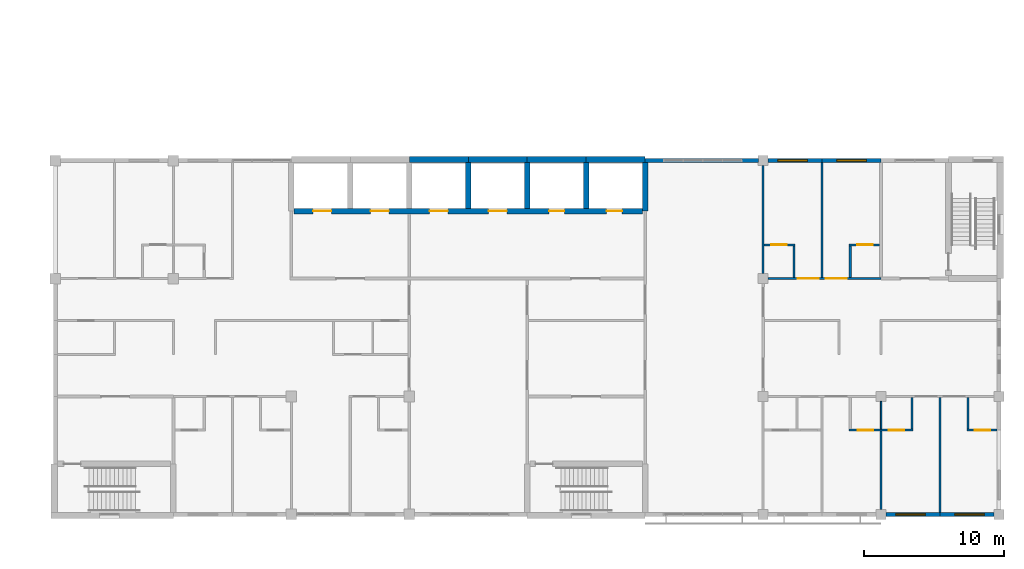
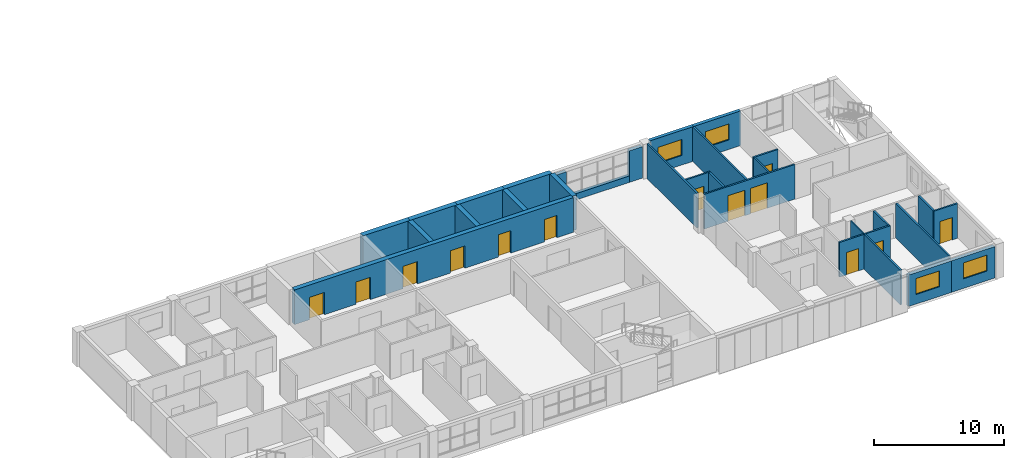
# One storey, part 37 of 46: 30 walls, 13 doors, 4 windows, 17 openings.
"""IFC4 building model written with IfcOpenShell, lengths in metres."""

from ifc_helpers import new_model, si_unit, direction, frame, frame_2d, origin, place, context, subcontext, project, spatial, rectangle, extrude, material, layer, layer_set, type_object, element, fill, save


model = new_model("IFC4")

# Units and contexts
model_context = context("Model", 3, precision=1e-05, world=origin(), true_north=direction((0.0, 1.0)))
body_context = subcontext(model_context, "Body", "Model", "MODEL_VIEW")
ifc_project = project(units=[si_unit("LENGTHUNIT", "METRE"), si_unit("AREAUNIT", "SQUARE_METRE"), si_unit("VOLUMEUNIT", "CUBIC_METRE"), si_unit("PLANEANGLEUNIT", "RADIAN"), si_unit("MASSUNIT", "GRAM", prefix="KILO")], contexts=[model_context])

# Site, building, storey
site_placement = place(None, origin())
site = spatial("IfcSite", under=ifc_project, at=site_placement, CompositionType="ELEMENT")
building_placement = place(site_placement, origin())
building = spatial("IfcBuilding", under=site, at=building_placement, Name="Yavir Park General Hospital", CompositionType="ELEMENT")
storey_placement = place(building_placement, frame((0.0, 0.0, 18.89990234375)))
storey = spatial("IfcBuildingStorey", under=building, at=storey_placement, Name="L04", CompositionType="ELEMENT", Elevation=18.89990234375)

# Wall
ifc_material_1 = material(Name="Gypsum board partition on steel studs", Category="steel")
ifc_layer_1 = layer(ifc_material_1, 0.10009765625)
ifc_layer_set_1 = layer_set([ifc_layer_1], Name="Gypsum board partition on steel studs")
wall_type_1 = type_object("IfcWallType", Name="Gypsum board partition 100", PredefinedType="PARTITIONING", material=ifc_layer_set_1)
wall_1_placement = place(storey_placement, frame((159.60009765625, 6.074951171875, 0.0), z_axis=(0.0, 0.0, 1.0), x_axis=(0.0, 1.0, 0.0)))
element("IfcWall", 1, at=wall_1_placement, inside=storey, type_object=wall_type_1, Name="P10 L04-270", PredefinedType="PARTITIONING", context=body_context, shape_type="SweptSolid", body=[
    extrude(rectangle(XDim=1.97509765625, YDim=0.10009765625, at=frame_2d((0.987548828125, 0.0))), origin(), (0.0, 0.0, 1.0), 3.260009765625),
])

# Wall, openings, doors
ifc_material_2 = material(Name="Gypsum board partition on steel studs", Category="steel")
ifc_layer_2 = layer(ifc_material_2, 0.14990234375)
ifc_layer_set_2 = layer_set([ifc_layer_2], Name="Gypsum board partition on steel studs")
wall_type_2 = type_object("IfcWallType", Name="Gypsum board partition 150", PredefinedType="PARTITIONING", material=ifc_layer_set_2)
wall_2_placement = place(storey_placement, frame((157.324951171875, 6.0, 0.0), z_axis=(0.0, 0.0, 1.0), x_axis=(1.0, 0.0, 0.0)))
wall_2 = element("IfcWall", 2, at=wall_2_placement, inside=storey, type_object=wall_type_2, Name="P15 L04-012", PredefinedType="PARTITIONING", context=body_context, shape_type="SweptSolid", body=[
    extrude(rectangle(XDim=4.550048828125, YDim=0.14990234375, at=frame_2d((2.27490234375, 0.0))), origin(), (0.0, 0.0, 1.0), 3.260009765625),
])
opening_1_placement = place(wall_2_placement, frame((0.625, 0.0, 0.0)))
opening_1 = element("IfcOpeningElement", 3, at=opening_1_placement, cuts=wall_2, Name="Opening L04.D014", PredefinedType="OPENING", context=body_context, shape_type="SweptSolid", body=[
    extrude(rectangle(XDim=1.10009765625, YDim=2.10009765625, at=frame_2d((0.550048828125, 1.050048828125))), frame((0.0, 0.0849609375, 0.0), z_axis=(0.0, -1.0, 0.0), x_axis=(1.0, 0.0, 0.0)), (0.0, 0.0, 1.0), 0.169921875),
])
opening_2_placement = place(wall_2_placement, frame((2.824951171875, 0.0, 0.0)))
opening_2 = element("IfcOpeningElement", 4, at=opening_2_placement, cuts=wall_2, Name="Opening L04.D015", PredefinedType="OPENING", context=body_context, shape_type="SweptSolid", body=[
    extrude(rectangle(XDim=1.10009765625, YDim=2.10009765625, at=frame_2d((0.550048828125, 1.050048828125))), frame((0.0, 0.0849609375, 0.0), z_axis=(0.0, -1.0, 0.0), x_axis=(1.0, 0.0, 0.0)), (0.0, 0.0, 1.0), 0.169921875),
])
ifc_material_3 = material(Name="Hollow metal frame, solid-core timber leaf", Category="wood")
door_type_1 = type_object("IfcDoorType", Name="Single swing door 1100 x 2100", OperationType="SINGLE_SWING_LEFT", PredefinedType="DOOR", material=ifc_material_3)
door_1_placement = place(opening_1_placement, origin())
door_1 = element("IfcDoor", 5, at=door_1_placement, inside=storey, type_object=door_type_1, Name="L04.D014", OperationType="SINGLE_SWING_RIGHT", OverallHeight=2.10009765625, OverallWidth=1.10009765625, PredefinedType="DOOR", context=body_context, shape_type="SweptSolid", body=[
    extrude(rectangle(XDim=1.10009765625, YDim=2.10009765625, at=frame_2d((0.550048828125, 1.050048828125))), frame((0.0, 0.02490234375, 0.0), z_axis=(0.0, -1.0, 0.0), x_axis=(1.0, 0.0, 0.0)), (0.0, 0.0, 1.0), 0.050048828125),
])
fill(opening_1, door_1)
door_2_placement = place(opening_2_placement, origin())
door_2 = element("IfcDoor", 6, at=door_2_placement, inside=storey, type_object=door_type_1, Name="L04.D015", OperationType="SINGLE_SWING_LEFT", OverallHeight=2.10009765625, OverallWidth=1.10009765625, PredefinedType="DOOR", context=body_context, shape_type="SweptSolid", body=[
    extrude(rectangle(XDim=1.10009765625, YDim=2.10009765625, at=frame_2d((0.550048828125, 1.050048828125))), frame((0.0, 0.02490234375, 0.0), z_axis=(0.0, -1.0, 0.0), x_axis=(1.0, 0.0, 0.0)), (0.0, 0.0, 1.0), 0.050048828125),
])
fill(opening_2, door_2)

# Wall, opening, door
wall_3_placement = place(storey_placement, frame((165.72509765625, 6.0, 0.0), z_axis=(0.0, 0.0, 1.0), x_axis=(1.0, 0.0, 0.0)))
wall_3 = element("IfcWall", 7, at=wall_3_placement, inside=storey, type_object=wall_type_2, Name="P15 L04-013", PredefinedType="PARTITIONING", context=body_context, shape_type="SweptSolid", body=[
    extrude(rectangle(XDim=2.125, YDim=0.14990234375, at=frame_2d((1.0625, 0.0))), origin(), (0.0, 0.0, 1.0), 3.260009765625),
])
opening_3_placement = place(wall_3_placement, frame((0.550048828125, 0.0, 0.0)))
opening_3 = element("IfcOpeningElement", 8, at=opening_3_placement, cuts=wall_3, Name="Opening L04.D016", PredefinedType="OPENING", context=body_context, shape_type="SweptSolid", body=[
    extrude(rectangle(XDim=1.10009765625, YDim=2.10009765625, at=frame_2d((0.550048828125, 1.050048828125))), frame((0.0, 0.0849609375, 0.0), z_axis=(0.0, -1.0, 0.0), x_axis=(1.0, 0.0, 0.0)), (0.0, 0.0, 1.0), 0.169921875),
])
door_3_placement = place(opening_3_placement, origin())
door_3 = element("IfcDoor", 9, at=door_3_placement, inside=storey, type_object=door_type_1, Name="L04.D016", OperationType="SINGLE_SWING_RIGHT", OverallHeight=2.10009765625, OverallWidth=1.10009765625, PredefinedType="DOOR", context=body_context, shape_type="SweptSolid", body=[
    extrude(rectangle(XDim=1.10009765625, YDim=2.10009765625, at=frame_2d((0.550048828125, 1.050048828125))), frame((0.0, 0.02490234375, 0.0), z_axis=(0.0, -1.0, 0.0), x_axis=(1.0, 0.0, 0.0)), (0.0, 0.0, 1.0), 0.050048828125),
])
fill(opening_3, door_3)

# Wall, openings, doors
wall_4_placement = place(storey_placement, frame((151.550048828125, 16.800048828125, 0.0), z_axis=(0.0, 0.0, 1.0), x_axis=(1.0, 0.0, 0.0)))
wall_4 = element("IfcWall", 10, at=wall_4_placement, inside=storey, type_object=wall_type_2, Name="P15 L04-044", PredefinedType="PARTITIONING", context=body_context, shape_type="SweptSolid", body=[
    extrude(rectangle(XDim=8.050048828125, YDim=0.14990234375, at=frame_2d((4.02490234375, 0.0))), origin(), (0.0, 0.0, 1.0), 3.260009765625),
])
opening_4_placement = place(wall_4_placement, frame((2.10009765625, 0.0, 0.0)))
opening_4 = element("IfcOpeningElement", 11, at=opening_4_placement, cuts=wall_4, Name="Opening L04.D046", PredefinedType="OPENING", context=body_context, shape_type="SweptSolid", body=[
    extrude(rectangle(XDim=1.5, YDim=2.39990234375, at=frame_2d((0.75, 1.199951171875))), frame((0.0, 0.0849609375, 0.0), z_axis=(0.0, -1.0, 0.0), x_axis=(1.0, 0.0, 0.0)), (0.0, 0.0, 1.0), 0.169921875),
])
opening_5_placement = place(wall_4_placement, frame((4.10009765625, 0.0, 0.0)))
opening_5 = element("IfcOpeningElement", 12, at=opening_5_placement, cuts=wall_4, Name="Opening L04.D047", PredefinedType="OPENING", context=body_context, shape_type="SweptSolid", body=[
    extrude(rectangle(XDim=1.5, YDim=2.39990234375, at=frame_2d((0.75, 1.199951171875))), frame((0.0, 0.0849609375, 0.0), z_axis=(0.0, -1.0, 0.0), x_axis=(1.0, 0.0, 0.0)), (0.0, 0.0, 1.0), 0.169921875),
])
ifc_material_4 = material(Name="Solid-core timber leaves, push plates, kick plates", Category="wood")
door_type_2 = type_object("IfcDoorType", Name="Bed door, unequal leaves 1500 x 2400", OperationType="DOUBLE_DOOR_SINGLE_SWING", PredefinedType="DOOR", material=ifc_material_4)
door_4_placement = place(opening_4_placement, origin())
door_4 = element("IfcDoor", 13, at=door_4_placement, inside=storey, type_object=door_type_2, Name="L04.D046", OperationType="SINGLE_SWING_RIGHT", OverallHeight=2.39990234375, OverallWidth=1.5, PredefinedType="DOOR", context=body_context, shape_type="SweptSolid", body=[
    extrude(rectangle(XDim=1.5, YDim=2.39990234375, at=frame_2d((0.75, 1.199951171875))), frame((0.0, 0.030029296875, 0.0), z_axis=(0.0, -1.0, 0.0), x_axis=(1.0, 0.0, 0.0)), (0.0, 0.0, 1.0), 0.06005859375),
])
fill(opening_4, door_4)
door_5_placement = place(opening_5_placement, origin())
door_5 = element("IfcDoor", 14, at=door_5_placement, inside=storey, type_object=door_type_2, Name="L04.D047", OperationType="SINGLE_SWING_RIGHT", OverallHeight=2.39990234375, OverallWidth=1.5, PredefinedType="DOOR", context=body_context, shape_type="SweptSolid", body=[
    extrude(rectangle(XDim=1.5, YDim=2.39990234375, at=frame_2d((0.75, 1.199951171875))), frame((0.0, 0.030029296875, 0.0), z_axis=(0.0, -1.0, 0.0), x_axis=(1.0, 0.0, 0.0)), (0.0, 0.0, 1.0), 0.06005859375),
])
fill(opening_5, door_5)

# Wall, opening, door
wall_5_placement = place(storey_placement, frame((151.27490234375, 19.199951171875, 0.0), z_axis=(0.0, 0.0, 1.0), x_axis=(1.0, 0.0, 0.0)))
wall_5 = element("IfcWall", 15, at=wall_5_placement, inside=storey, type_object=wall_type_2, Name="P15 L04-049", PredefinedType="PARTITIONING", context=body_context, shape_type="SweptSolid", body=[
    extrude(rectangle(XDim=2.2001953125, YDim=0.14990234375, at=frame_2d((1.10009765625, 0.0))), origin(), (0.0, 0.0, 1.0), 3.260009765625),
])
opening_6_placement = place(wall_5_placement, frame((0.512451171875, 0.0, 0.0)))
opening_6 = element("IfcOpeningElement", 16, at=opening_6_placement, cuts=wall_5, Name="Opening L04.D051", PredefinedType="OPENING", context=body_context, shape_type="SweptSolid", body=[
    extrude(rectangle(XDim=1.10009765625, YDim=2.10009765625, at=frame_2d((0.550048828125, 1.050048828125))), frame((0.0, 0.0849609375, 0.0), z_axis=(0.0, -1.0, 0.0), x_axis=(1.0, 0.0, 0.0)), (0.0, 0.0, 1.0), 0.169921875),
])
door_6_placement = place(opening_6_placement, origin())
door_6 = element("IfcDoor", 17, at=door_6_placement, inside=storey, type_object=door_type_1, Name="L04.D051", OperationType="SINGLE_SWING_RIGHT", OverallHeight=2.10009765625, OverallWidth=1.10009765625, PredefinedType="DOOR", context=body_context, shape_type="SweptSolid", body=[
    extrude(rectangle(XDim=1.10009765625, YDim=2.10009765625, at=frame_2d((0.550048828125, 1.050048828125))), frame((0.0, 0.02490234375, 0.0), z_axis=(0.0, -1.0, 0.0), x_axis=(1.0, 0.0, 0.0)), (0.0, 0.0, 1.0), 0.050048828125),
])
fill(opening_6, door_6)

wall_6_placement = place(storey_placement, frame((157.324951171875, 19.199951171875, 0.0), z_axis=(0.0, 0.0, 1.0), x_axis=(1.0, 0.0, 0.0)))
wall_6 = element("IfcWall", 18, at=wall_6_placement, inside=storey, type_object=wall_type_2, Name="P15 L04-050", PredefinedType="PARTITIONING", context=body_context, shape_type="SweptSolid", body=[
    extrude(rectangle(XDim=2.175048828125, YDim=0.14990234375, at=frame_2d((1.08740234375, 0.0))), origin(), (0.0, 0.0, 1.0), 3.260009765625),
])
opening_7_placement = place(wall_6_placement, frame((0.574951171875, 0.0, 0.0)))
opening_7 = element("IfcOpeningElement", 19, at=opening_7_placement, cuts=wall_6, Name="Opening L04.D052", PredefinedType="OPENING", context=body_context, shape_type="SweptSolid", body=[
    extrude(rectangle(XDim=1.10009765625, YDim=2.10009765625, at=frame_2d((0.550048828125, 1.050048828125))), frame((0.0, 0.0849609375, 0.0), z_axis=(0.0, -1.0, 0.0), x_axis=(1.0, 0.0, 0.0)), (0.0, 0.0, 1.0), 0.169921875),
])
door_7_placement = place(opening_7_placement, origin())
door_7 = element("IfcDoor", 20, at=door_7_placement, inside=storey, type_object=door_type_1, Name="L04.D052", OperationType="SINGLE_SWING_LEFT", OverallHeight=2.10009765625, OverallWidth=1.10009765625, PredefinedType="DOOR", context=body_context, shape_type="SweptSolid", body=[
    extrude(rectangle(XDim=1.10009765625, YDim=2.10009765625, at=frame_2d((0.550048828125, 1.050048828125))), frame((0.0, 0.02490234375, 0.0), z_axis=(0.0, -1.0, 0.0), x_axis=(1.0, 0.0, 0.0)), (0.0, 0.0, 1.0), 0.050048828125),
])
fill(opening_7, door_7)

# Walls
wall_7_placement = place(storey_placement, frame((151.199951171875, 17.14990234375, 0.0), z_axis=(0.0, 0.0, 1.0), x_axis=(0.0, 1.0, 0.0)))
element("IfcWall", 21, at=wall_7_placement, inside=storey, type_object=wall_type_2, Name="P15 L04-261", PredefinedType="PARTITIONING", context=body_context, shape_type="SweptSolid", body=[
    extrude(rectangle(XDim=7.7001953125, YDim=0.14990234375, at=frame_2d((3.85009765625, 0.0))), origin(), (0.0, 0.0, 1.0), 3.260009765625),
])
wall_8_placement = place(storey_placement, frame((153.39990234375, 16.875, 0.0), z_axis=(0.0, 0.0, 1.0), x_axis=(0.0, 1.0, 0.0)))
element("IfcWall", 22, at=wall_8_placement, inside=storey, type_object=wall_type_2, Name="P15 L04-262", PredefinedType="PARTITIONING", context=body_context, shape_type="SweptSolid", body=[
    extrude(rectangle(XDim=2.25, YDim=0.14990234375, at=frame_2d((1.125, 0.0))), origin(), (0.0, 0.0, 1.0), 3.260009765625),
])
wall_9_placement = place(storey_placement, frame((155.39990234375, 16.875, 0.0), z_axis=(0.0, 0.0, 1.0), x_axis=(0.0, 1.0, 0.0)))
element("IfcWall", 23, at=wall_9_placement, inside=storey, type_object=wall_type_2, Name="P15 L04-265", PredefinedType="PARTITIONING", context=body_context, shape_type="SweptSolid", body=[
    extrude(rectangle(XDim=8.175048828125, YDim=0.14990234375, at=frame_2d((4.08740234375, 0.0))), origin(), (0.0, 0.0, 1.0), 3.260009765625),
])
wall_10_placement = place(storey_placement, frame((157.39990234375, 16.875, 0.0), z_axis=(0.0, 0.0, 1.0), x_axis=(0.0, 1.0, 0.0)))
element("IfcWall", 24, at=wall_10_placement, inside=storey, type_object=wall_type_2, Name="P15 L04-268", PredefinedType="PARTITIONING", context=body_context, shape_type="SweptSolid", body=[
    extrude(rectangle(XDim=2.25, YDim=0.14990234375, at=frame_2d((1.125, 0.0))), origin(), (0.0, 0.0, 1.0), 3.260009765625),
])
wall_11_placement = place(storey_placement, frame((159.60009765625, 0.35009765625, 0.0), z_axis=(0.0, 0.0, 1.0), x_axis=(0.0, 1.0, 0.0)))
element("IfcWall", 25, at=wall_11_placement, inside=storey, type_object=wall_type_2, Name="P15 L04-269", PredefinedType="PARTITIONING", context=body_context, shape_type="SweptSolid", body=[
    extrude(rectangle(XDim=5.574951171875, YDim=0.14990234375, at=frame_2d((2.78759765625, 0.0))), origin(), (0.0, 0.0, 1.0), 3.260009765625),
])
wall_12_placement = place(storey_placement, frame((161.800048828125, 6.074951171875, 0.0), z_axis=(0.0, 0.0, 1.0), x_axis=(0.0, 1.0, 0.0)))
element("IfcWall", 26, at=wall_12_placement, inside=storey, type_object=wall_type_2, Name="P15 L04-273", PredefinedType="PARTITIONING", context=body_context, shape_type="SweptSolid", body=[
    extrude(rectangle(XDim=2.25, YDim=0.14990234375, at=frame_2d((1.125, 0.0))), origin(), (0.0, 0.0, 1.0), 3.260009765625),
])
wall_13_placement = place(storey_placement, frame((163.800048828125, 0.14990234375, 0.0), z_axis=(0.0, 0.0, 1.0), x_axis=(0.0, 1.0, 0.0)))
element("IfcWall", 27, at=wall_13_placement, inside=storey, type_object=wall_type_2, Name="P15 L04-274", PredefinedType="PARTITIONING", context=body_context, shape_type="SweptSolid", body=[
    extrude(rectangle(XDim=8.175048828125, YDim=0.14990234375, at=frame_2d((4.08740234375, 0.0))), origin(), (0.0, 0.0, 1.0), 3.260009765625),
])
wall_14_placement = place(storey_placement, frame((165.800048828125, 6.074951171875, 0.0), z_axis=(0.0, 0.0, 1.0), x_axis=(0.0, 1.0, 0.0)))
element("IfcWall", 28, at=wall_14_placement, inside=storey, type_object=wall_type_2, Name="P15 L04-276", PredefinedType="PARTITIONING", context=body_context, shape_type="SweptSolid", body=[
    extrude(rectangle(XDim=2.25, YDim=0.14990234375, at=frame_2d((1.125, 0.0))), origin(), (0.0, 0.0, 1.0), 3.260009765625),
])

# Wall, opening, window
ifc_material_5 = material(Name="Autoclaved aerated block, mineral wool and ochre mineral render")
ifc_layer_3 = layer(ifc_material_5, 0.300048828125)
ifc_layer_set_3 = layer_set([ifc_layer_3], Name="Autoclaved aerated block, mineral wool and ochre mineral render")
wall_type_3 = type_object("IfcWallType", Name="Ochre render ward wall 300, E 30", PredefinedType="SOLIDWALL", material=ifc_layer_set_3)
wall_15_placement = place(storey_placement, frame((159.949951171875, 0.0, 0.0), z_axis=(0.0, 0.0, 1.0), x_axis=(1.0, 0.0, 0.0)))
wall_15 = element("IfcWall", 29, at=wall_15_placement, inside=storey, type_object=wall_type_3, Name="XW7 L04-031", PredefinedType="SOLIDWALL", context=body_context, shape_type="SweptSolid", body=[
    extrude(rectangle(XDim=3.85009765625, YDim=0.300048828125, at=frame_2d((1.925048828125, 0.0))), origin(), (0.0, 0.0, 1.0), 2.960205078125),
])
opening_8_placement = place(wall_15_placement, frame((0.699951171875, 0.0, 0.89990234375)))
opening_8 = element("IfcOpeningElement", 30, at=opening_8_placement, cuts=wall_15, Name="Opening WAR", PredefinedType="OPENING", context=body_context, shape_type="SweptSolid", body=[
    extrude(rectangle(XDim=2.10009765625, YDim=1.5, at=frame_2d((1.050048828125, 0.75))), frame((0.0, 0.159912109375, 0.0), z_axis=(0.0, -1.0, 0.0), x_axis=(1.0, 0.0, 0.0)), (0.0, 0.0, 1.0), 0.320068359375),
])
ifc_material_6 = material(Name="Aluminium frame, tilt-and-turn sash with opening restrictor, double glazed unit", Category="aluminium")
window_type = type_object("IfcWindowType", Name="Ward window, restricted opening 2100 x 1500", PartitioningType="DOUBLE_PANEL_VERTICAL", PredefinedType="WINDOW", material=ifc_material_6)
window_1_placement = place(opening_8_placement, origin())
window_1 = element("IfcWindow", 31, at=window_1_placement, inside=storey, type_object=window_type, Name="WAR L04-011", OverallHeight=1.5, OverallWidth=2.10009765625, PartitioningType="DOUBLE_PANEL_VERTICAL", PredefinedType="WINDOW", context=body_context, shape_type="SweptSolid", body=[
    extrude(rectangle(XDim=2.10009765625, YDim=1.5, at=frame_2d((1.050048828125, 0.75))), frame((0.0, 0.050048828125, 0.0), z_axis=(0.0, -1.0, 0.0), x_axis=(1.0, 0.0, 0.0)), (0.0, 0.0, 1.0), 0.10009765625),
])
fill(opening_8, window_1)

wall_16_placement = place(storey_placement, frame((163.800048828125, 0.0, 0.0), z_axis=(0.0, 0.0, 1.0), x_axis=(1.0, 0.0, 0.0)))
wall_16 = element("IfcWall", 32, at=wall_16_placement, inside=storey, type_object=wall_type_3, Name="XW7 L04-032", PredefinedType="SOLIDWALL", context=body_context, shape_type="SweptSolid", body=[
    extrude(rectangle(XDim=3.849853515625, YDim=0.300048828125, at=frame_2d((1.9248046875, 0.0))), origin(), (0.0, 0.0, 1.0), 2.960205078125),
])
opening_9_placement = place(wall_16_placement, frame((1.050048828125, 0.0, 0.89990234375)))
opening_9 = element("IfcOpeningElement", 33, at=opening_9_placement, cuts=wall_16, Name="Opening WAR", PredefinedType="OPENING", context=body_context, shape_type="SweptSolid", body=[
    extrude(rectangle(XDim=2.10009765625, YDim=1.5, at=frame_2d((1.050048828125, 0.75))), frame((0.0, 0.159912109375, 0.0), z_axis=(0.0, -1.0, 0.0), x_axis=(1.0, 0.0, 0.0)), (0.0, 0.0, 1.0), 0.320068359375),
])
window_2_placement = place(opening_9_placement, origin())
window_2 = element("IfcWindow", 34, at=window_2_placement, inside=storey, type_object=window_type, Name="WAR L04-012", OverallHeight=1.5, OverallWidth=2.10009765625, PartitioningType="DOUBLE_PANEL_VERTICAL", PredefinedType="WINDOW", context=body_context, shape_type="SweptSolid", body=[
    extrude(rectangle(XDim=2.10009765625, YDim=1.5, at=frame_2d((1.050048828125, 0.75))), frame((0.0, 0.050048828125, 0.0), z_axis=(0.0, -1.0, 0.0), x_axis=(1.0, 0.0, 0.0)), (0.0, 0.0, 1.0), 0.10009765625),
])
fill(opening_9, window_2)

# Walls
wall_17_placement = place(storey_placement, frame((142.800048828125, 25.199951171875, 0.0), z_axis=(0.0, 0.0, 1.0), x_axis=(1.0, 0.0, 0.0)))
element("IfcWall", 35, at=wall_17_placement, inside=storey, type_object=wall_type_3, Name="XW7 L04-048", PredefinedType="SOLIDWALL", context=body_context, shape_type="SweptSolid", body=[
    extrude(rectangle(XDim=1.300048828125, YDim=0.300048828125, at=frame_2d((0.64990234375, 0.0))), origin(), (0.0, 0.0, 1.0), 2.960205078125),
])
wall_18_placement = place(storey_placement, frame((149.699951171875, 25.199951171875, 0.0), z_axis=(0.0, 0.0, 1.0), x_axis=(1.0, 0.0, 0.0)))
element("IfcWall", 36, at=wall_18_placement, inside=storey, type_object=wall_type_3, Name="XW7 L04-049", PredefinedType="SOLIDWALL", context=body_context, shape_type="SweptSolid", body=[
    extrude(rectangle(XDim=1.150146484375, YDim=0.300048828125, at=frame_2d((0.5751953125, 0.0))), origin(), (0.0, 0.0, 1.0), 2.960205078125),
])
wall_19_placement = place(storey_placement, frame((144.10009765625, 25.199951171875, 0.0), z_axis=(0.0, 0.0, 1.0), x_axis=(1.0, 0.0, 0.0)))
element("IfcWall", 37, at=wall_19_placement, inside=storey, type_object=wall_type_3, Name="XW7 L04-050", PredefinedType="SOLIDWALL", context=body_context, shape_type="SweptSolid", body=[
    extrude(rectangle(XDim=5.599853515625, YDim=0.300048828125, at=frame_2d((2.7998046875, 0.0))), origin(), (0.0, 0.0, 1.0), 0.60009765625),
])

# Wall, opening, window
wall_20_placement = place(storey_placement, frame((151.550048828125, 25.199951171875, 0.0), z_axis=(0.0, 0.0, 1.0), x_axis=(1.0, 0.0, 0.0)))
wall_20 = element("IfcWall", 38, at=wall_20_placement, inside=storey, type_object=wall_type_3, Name="XW7 L04-051", PredefinedType="SOLIDWALL", context=body_context, shape_type="SweptSolid", body=[
    extrude(rectangle(XDim=3.849853515625, YDim=0.300048828125, at=frame_2d((1.9248046875, 0.0))), origin(), (0.0, 0.0, 1.0), 3.260009765625),
])
opening_10_placement = place(wall_20_placement, frame((0.699951171875, 0.0, 0.89990234375)))
opening_10 = element("IfcOpeningElement", 39, at=opening_10_placement, cuts=wall_20, Name="Opening WAR", PredefinedType="OPENING", context=body_context, shape_type="SweptSolid", body=[
    extrude(rectangle(XDim=2.10009765625, YDim=1.5, at=frame_2d((1.050048828125, 0.75))), frame((0.0, 0.159912109375, 0.0), z_axis=(0.0, -1.0, 0.0), x_axis=(1.0, 0.0, 0.0)), (0.0, 0.0, 1.0), 0.320068359375),
])
window_3_placement = place(opening_10_placement, origin())
window_3 = element("IfcWindow", 40, at=window_3_placement, inside=storey, type_object=window_type, Name="WAR L04-016", OverallHeight=1.5, OverallWidth=2.10009765625, PartitioningType="DOUBLE_PANEL_VERTICAL", PredefinedType="WINDOW", context=body_context, shape_type="SweptSolid", body=[
    extrude(rectangle(XDim=2.10009765625, YDim=1.5, at=frame_2d((1.050048828125, 0.75))), frame((0.0, 0.050048828125, 0.0), z_axis=(0.0, -1.0, 0.0), x_axis=(1.0, 0.0, 0.0)), (0.0, 0.0, 1.0), 0.10009765625),
])
fill(opening_10, window_3)

wall_21_placement = place(storey_placement, frame((155.39990234375, 25.199951171875, 0.0), z_axis=(0.0, 0.0, 1.0), x_axis=(1.0, 0.0, 0.0)))
wall_21 = element("IfcWall", 41, at=wall_21_placement, inside=storey, type_object=wall_type_3, Name="XW7 L04-052", PredefinedType="SOLIDWALL", context=body_context, shape_type="SweptSolid", body=[
    extrude(rectangle(XDim=4.2001953125, YDim=0.300048828125, at=frame_2d((2.10009765625, 0.0))), origin(), (0.0, 0.0, 1.0), 3.260009765625),
])
opening_11_placement = place(wall_21_placement, frame((1.050048828125, 0.0, 0.89990234375)))
opening_11 = element("IfcOpeningElement", 42, at=opening_11_placement, cuts=wall_21, Name="Opening WAR", PredefinedType="OPENING", context=body_context, shape_type="SweptSolid", body=[
    extrude(rectangle(XDim=2.10009765625, YDim=1.5, at=frame_2d((1.050048828125, 0.75))), frame((0.0, 0.159912109375, 0.0), z_axis=(0.0, -1.0, 0.0), x_axis=(1.0, 0.0, 0.0)), (0.0, 0.0, 1.0), 0.320068359375),
])
window_4_placement = place(opening_11_placement, origin())
window_4 = element("IfcWindow", 43, at=window_4_placement, inside=storey, type_object=window_type, Name="WAR L04-017", OverallHeight=1.5, OverallWidth=2.10009765625, PartitioningType="DOUBLE_PANEL_VERTICAL", PredefinedType="WINDOW", context=body_context, shape_type="SweptSolid", body=[
    extrude(rectangle(XDim=2.10009765625, YDim=1.5, at=frame_2d((1.050048828125, 0.75))), frame((0.0, 0.050048828125, 0.0), z_axis=(0.0, -1.0, 0.0), x_axis=(1.0, 0.0, 0.0)), (0.0, 0.0, 1.0), 0.10009765625),
])
fill(opening_11, window_4)

# Wall, openings, doors
ifc_material_7 = material(Name="Concrete C35/45", Category="concrete")
ifc_layer_4 = layer(ifc_material_7, 0.39990234375)
ifc_layer_set_4 = layer_set([ifc_layer_4], Name="Concrete C35/45")
wall_type_4 = type_object("IfcWallType", Name="Reinforced concrete core wall 400, REI 150", PredefinedType="SHEAR", material=ifc_layer_set_4)
wall_22_placement = place(storey_placement, frame((117.800048828125, 21.60009765625, 0.0), z_axis=(0.0, 0.0, 1.0), x_axis=(1.0, 0.0, 0.0)))
wall_22 = element("IfcWall", 44, at=wall_22_placement, inside=storey, type_object=wall_type_4, Name="CW40 L04-052", PredefinedType="SHEAR", context=body_context, shape_type="SweptSolid", body=[
    extrude(rectangle(XDim=24.800048828125, YDim=0.39990234375, at=frame_2d((12.39990234375, 0.0))), origin(), (0.0, 0.0, 1.0), 3.260009765625),
])
opening_12_placement = place(wall_22_placement, frame((1.35009765625, 0.0, 0.0)))
opening_12 = element("IfcOpeningElement", 45, at=opening_12_placement, cuts=wall_22, Name="Opening L04.D055", PredefinedType="OPENING", context=body_context, shape_type="SweptSolid", body=[
    extrude(rectangle(XDim=1.300048828125, YDim=2.10009765625, at=frame_2d((0.64990234375, 1.050048828125))), frame((0.0, 0.2099609375, 0.0), z_axis=(0.0, -1.0, 0.0), x_axis=(1.0, 0.0, 0.0)), (0.0, 0.0, 1.0), 0.419921875),
])
opening_13_placement = place(wall_22_placement, frame((5.449951171875, 0.0, 0.0)))
opening_13 = element("IfcOpeningElement", 46, at=opening_13_placement, cuts=wall_22, Name="Opening L04.D056", PredefinedType="OPENING", context=body_context, shape_type="SweptSolid", body=[
    extrude(rectangle(XDim=1.300048828125, YDim=2.10009765625, at=frame_2d((0.64990234375, 1.050048828125))), frame((0.0, 0.2099609375, 0.0), z_axis=(0.0, -1.0, 0.0), x_axis=(1.0, 0.0, 0.0)), (0.0, 0.0, 1.0), 0.419921875),
])
opening_14_placement = place(wall_22_placement, frame((9.64990234375, 0.0, 0.0)))
opening_14 = element("IfcOpeningElement", 47, at=opening_14_placement, cuts=wall_22, Name="Opening L04.D057", PredefinedType="OPENING", context=body_context, shape_type="SweptSolid", body=[
    extrude(rectangle(XDim=1.300048828125, YDim=2.10009765625, at=frame_2d((0.64990234375, 1.050048828125))), frame((0.0, 0.2099609375, 0.0), z_axis=(0.0, -1.0, 0.0), x_axis=(1.0, 0.0, 0.0)), (0.0, 0.0, 1.0), 0.419921875),
])
opening_15_placement = place(wall_22_placement, frame((13.85009765625, 0.0, 0.0)))
opening_15 = element("IfcOpeningElement", 48, at=opening_15_placement, cuts=wall_22, Name="Opening L04.D058", PredefinedType="OPENING", context=body_context, shape_type="SweptSolid", body=[
    extrude(rectangle(XDim=1.300048828125, YDim=2.10009765625, at=frame_2d((0.64990234375, 1.050048828125))), frame((0.0, 0.2099609375, 0.0), z_axis=(0.0, -1.0, 0.0), x_axis=(1.0, 0.0, 0.0)), (0.0, 0.0, 1.0), 0.419921875),
])
opening_16_placement = place(wall_22_placement, frame((18.14990234375, 0.0, 0.0)))
opening_16 = element("IfcOpeningElement", 49, at=opening_16_placement, cuts=wall_22, Name="Opening L04.D059", PredefinedType="OPENING", context=body_context, shape_type="SweptSolid", body=[
    extrude(rectangle(XDim=1.10009765625, YDim=2.10009765625, at=frame_2d((0.550048828125, 1.050048828125))), frame((0.0, 0.2099609375, 0.0), z_axis=(0.0, -1.0, 0.0), x_axis=(1.0, 0.0, 0.0)), (0.0, 0.0, 1.0), 0.419921875),
])
opening_17_placement = place(wall_22_placement, frame((22.25, 0.0, 0.0)))
opening_17 = element("IfcOpeningElement", 50, at=opening_17_placement, cuts=wall_22, Name="Opening L04.D060", PredefinedType="OPENING", context=body_context, shape_type="SweptSolid", body=[
    extrude(rectangle(XDim=1.10009765625, YDim=2.10009765625, at=frame_2d((0.550048828125, 1.050048828125))), frame((0.0, 0.2099609375, 0.0), z_axis=(0.0, -1.0, 0.0), x_axis=(1.0, 0.0, 0.0)), (0.0, 0.0, 1.0), 0.419921875),
])
ifc_material_8 = material(Name="Stainless steel landing door panels", Category="steel")
door_type_3 = type_object("IfcDoorType", Name="Lift landing door 1100 x 2100, EI 60", OperationType="SLIDING_TO_LEFT", PredefinedType="DOOR", material=ifc_material_8)
door_8_placement = place(opening_16_placement, origin())
door_8 = element("IfcDoor", 51, at=door_8_placement, inside=storey, type_object=door_type_3, Name="L04.D059", OperationType="SLIDING_TO_LEFT", OverallHeight=2.10009765625, OverallWidth=1.10009765625, PredefinedType="DOOR", context=body_context, shape_type="SweptSolid", body=[
    extrude(rectangle(XDim=1.10009765625, YDim=2.10009765625, at=frame_2d((0.550048828125, 1.050048828125))), frame((0.0, 0.02490234375, 0.0), z_axis=(0.0, -1.0, 0.0), x_axis=(1.0, 0.0, 0.0)), (0.0, 0.0, 1.0), 0.050048828125),
])
fill(opening_16, door_8)
door_9_placement = place(opening_17_placement, origin())
door_9 = element("IfcDoor", 52, at=door_9_placement, inside=storey, type_object=door_type_3, Name="L04.D060", OperationType="SLIDING_TO_LEFT", OverallHeight=2.10009765625, OverallWidth=1.10009765625, PredefinedType="DOOR", context=body_context, shape_type="SweptSolid", body=[
    extrude(rectangle(XDim=1.10009765625, YDim=2.10009765625, at=frame_2d((0.550048828125, 1.050048828125))), frame((0.0, 0.02490234375, 0.0), z_axis=(0.0, -1.0, 0.0), x_axis=(1.0, 0.0, 0.0)), (0.0, 0.0, 1.0), 0.050048828125),
])
fill(opening_17, door_9)
ifc_material_9 = material(Name="Stainless steel landing door panels", Category="steel")
door_type_4 = type_object("IfcDoorType", Name="Lift landing door 1300 x 2100, EI 60", OperationType="SLIDING_TO_LEFT", PredefinedType="DOOR", material=ifc_material_9)
door_10_placement = place(opening_12_placement, origin())
door_10 = element("IfcDoor", 53, at=door_10_placement, inside=storey, type_object=door_type_4, Name="L04.D055", OperationType="SLIDING_TO_LEFT", OverallHeight=2.10009765625, OverallWidth=1.300048828125, PredefinedType="DOOR", context=body_context, shape_type="SweptSolid", body=[
    extrude(rectangle(XDim=1.300048828125, YDim=2.10009765625, at=frame_2d((0.64990234375, 1.050048828125))), frame((0.0, 0.02490234375, 0.0), z_axis=(0.0, -1.0, 0.0), x_axis=(1.0, 0.0, 0.0)), (0.0, 0.0, 1.0), 0.050048828125),
])
fill(opening_12, door_10)
door_11_placement = place(opening_13_placement, origin())
door_11 = element("IfcDoor", 54, at=door_11_placement, inside=storey, type_object=door_type_4, Name="L04.D056", OperationType="SLIDING_TO_LEFT", OverallHeight=2.10009765625, OverallWidth=1.300048828125, PredefinedType="DOOR", context=body_context, shape_type="SweptSolid", body=[
    extrude(rectangle(XDim=1.300048828125, YDim=2.10009765625, at=frame_2d((0.64990234375, 1.050048828125))), frame((0.0, 0.02490234375, 0.0), z_axis=(0.0, -1.0, 0.0), x_axis=(1.0, 0.0, 0.0)), (0.0, 0.0, 1.0), 0.050048828125),
])
fill(opening_13, door_11)
door_12_placement = place(opening_14_placement, origin())
door_12 = element("IfcDoor", 55, at=door_12_placement, inside=storey, type_object=door_type_4, Name="L04.D057", OperationType="SLIDING_TO_LEFT", OverallHeight=2.10009765625, OverallWidth=1.300048828125, PredefinedType="DOOR", context=body_context, shape_type="SweptSolid", body=[
    extrude(rectangle(XDim=1.300048828125, YDim=2.10009765625, at=frame_2d((0.64990234375, 1.050048828125))), frame((0.0, 0.02490234375, 0.0), z_axis=(0.0, -1.0, 0.0), x_axis=(1.0, 0.0, 0.0)), (0.0, 0.0, 1.0), 0.050048828125),
])
fill(opening_14, door_12)
door_13_placement = place(opening_15_placement, origin())
door_13 = element("IfcDoor", 56, at=door_13_placement, inside=storey, type_object=door_type_4, Name="L04.D058", OperationType="SLIDING_TO_LEFT", OverallHeight=2.10009765625, OverallWidth=1.300048828125, PredefinedType="DOOR", context=body_context, shape_type="SweptSolid", body=[
    extrude(rectangle(XDim=1.300048828125, YDim=2.10009765625, at=frame_2d((0.64990234375, 1.050048828125))), frame((0.0, 0.02490234375, 0.0), z_axis=(0.0, -1.0, 0.0), x_axis=(1.0, 0.0, 0.0)), (0.0, 0.0, 1.0), 0.050048828125),
])
fill(opening_15, door_13)

# Walls
for number, where, z_axis, x_axis, name in (
    (57, (130.199951171875, 21.800048828125, 0.0), (0.0, 0.0, 1.0), (0.0, 1.0, 0.0), "CW40 L04-251"),
    (58, (134.39990234375, 21.800048828125, 0.0), (0.0, 0.0, 1.0), (0.0, 1.0, 0.0), "CW40 L04-254"),
    (59, (138.60009765625, 21.800048828125, 0.0), (0.0, 0.0, 1.0), (0.0, 1.0, 0.0), "CW40 L04-255"),
):
    element("IfcWall", number, at=place(storey_placement, frame(where, z_axis=z_axis, x_axis=x_axis)), inside=storey, type_object=wall_type_4, Name=name, PredefinedType="SHEAR", context=body_context, shape_type="SweptSolid", body=[
        extrude(rectangle(XDim=3.25, YDim=0.39990234375, at=frame_2d((1.625, 0.0))), origin(), (0.0, 0.0, 1.0), 3.260009765625),
    ])
wall_23_placement = place(storey_placement, frame((142.800048828125, 21.60009765625, 0.0), z_axis=(0.0, 0.0, 1.0), x_axis=(0.0, 1.0, 0.0)))
element("IfcWall", 60, at=wall_23_placement, inside=storey, type_object=wall_type_4, Name="CW40 L04-258", PredefinedType="SHEAR", context=body_context, shape_type="SweptSolid", body=[
    extrude(rectangle(XDim=3.449951171875, YDim=0.39990234375, at=frame_2d((1.72509765625, 0.0))), origin(), (0.0, 0.0, 1.0), 3.260009765625),
])
ifc_material_10 = material(Name="Concrete C30/37 precast panel with 150 mm mineral wool insulation", Category="concrete")
ifc_layer_5 = layer(ifc_material_10, 0.449951171875)
ifc_layer_set_5 = layer_set([ifc_layer_5], Name="Concrete C30/37 precast panel with 150 mm mineral wool insulation")
wall_type_5 = type_object("IfcWallType", Name="Stair enclosure wall 450, REI 150", PredefinedType="SOLIDWALL", material=ifc_layer_set_5)
for number, where, z_axis, x_axis, name in (
    (61, (126.0, 25.27490234375, 0.0), (0.0, 0.0, 1.0), (1.0, 0.0, 0.0), "XW6 L04-044"),
    (62, (130.199951171875, 25.27490234375, 0.0), (0.0, 0.0, 1.0), (1.0, 0.0, 0.0), "XW6 L04-045"),
):
    element("IfcWall", number, at=place(storey_placement, frame(where, z_axis=z_axis, x_axis=x_axis)), inside=storey, type_object=wall_type_5, Name=name, PredefinedType="SOLIDWALL", context=body_context, shape_type="SweptSolid", body=[
        extrude(rectangle(XDim=4.199951171875, YDim=0.449951171875, at=frame_2d((2.10009765625, 0.0))), origin(), (0.0, 0.0, 1.0), 3.260009765625),
    ])
wall_24_placement = place(storey_placement, frame((134.39990234375, 25.27490234375, 0.0), z_axis=(0.0, 0.0, 1.0), x_axis=(1.0, 0.0, 0.0)))
element("IfcWall", 63, at=wall_24_placement, inside=storey, type_object=wall_type_5, Name="XW6 L04-046", PredefinedType="SOLIDWALL", context=body_context, shape_type="SweptSolid", body=[
    extrude(rectangle(XDim=4.2001953125, YDim=0.449951171875, at=frame_2d((2.10009765625, 0.0))), origin(), (0.0, 0.0, 1.0), 3.260009765625),
])
wall_25_placement = place(storey_placement, frame((138.60009765625, 25.27490234375, 0.0), z_axis=(0.0, 0.0, 1.0), x_axis=(1.0, 0.0, 0.0)))
element("IfcWall", 64, at=wall_25_placement, inside=storey, type_object=wall_type_5, Name="XW6 L04-047", PredefinedType="SOLIDWALL", context=body_context, shape_type="SweptSolid", body=[
    extrude(rectangle(XDim=4.199951171875, YDim=0.449951171875, at=frame_2d((2.10009765625, 0.0))), origin(), (0.0, 0.0, 1.0), 3.260009765625),
])

save(model, "model.ifc")
